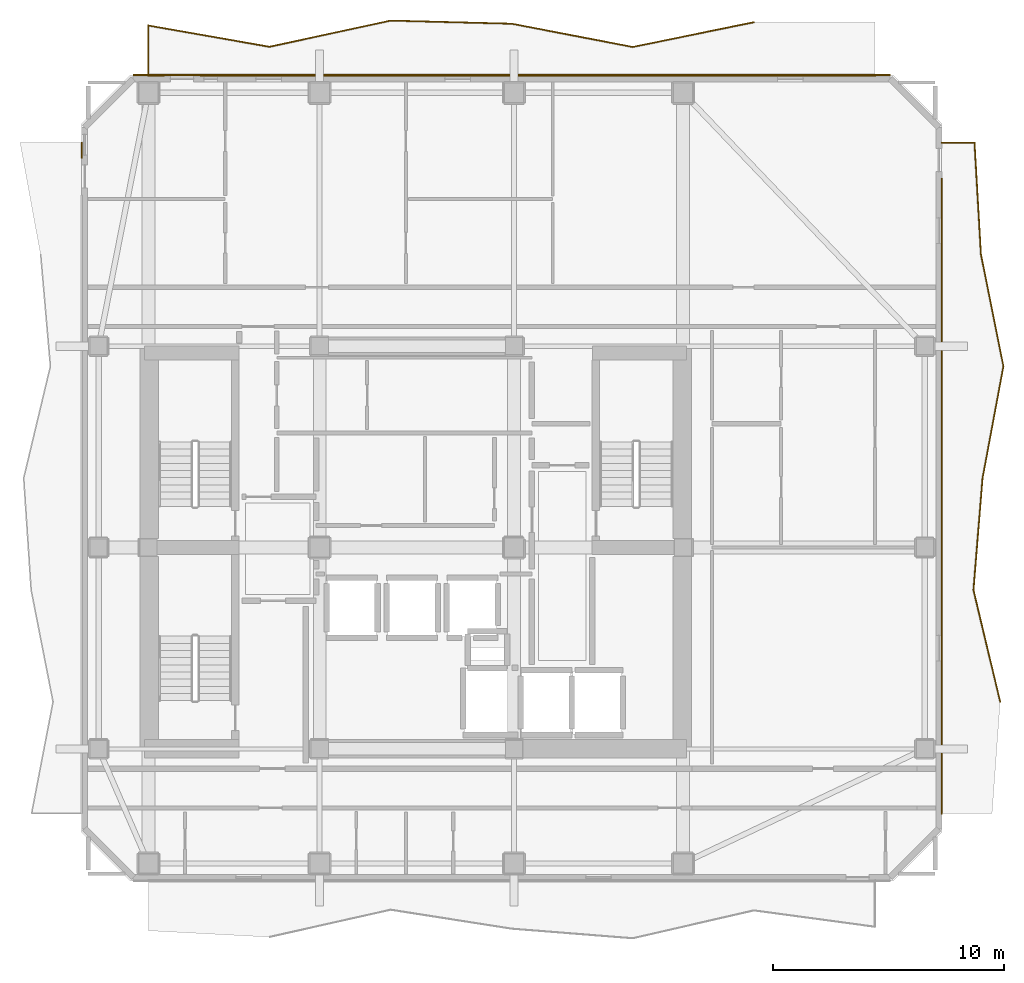
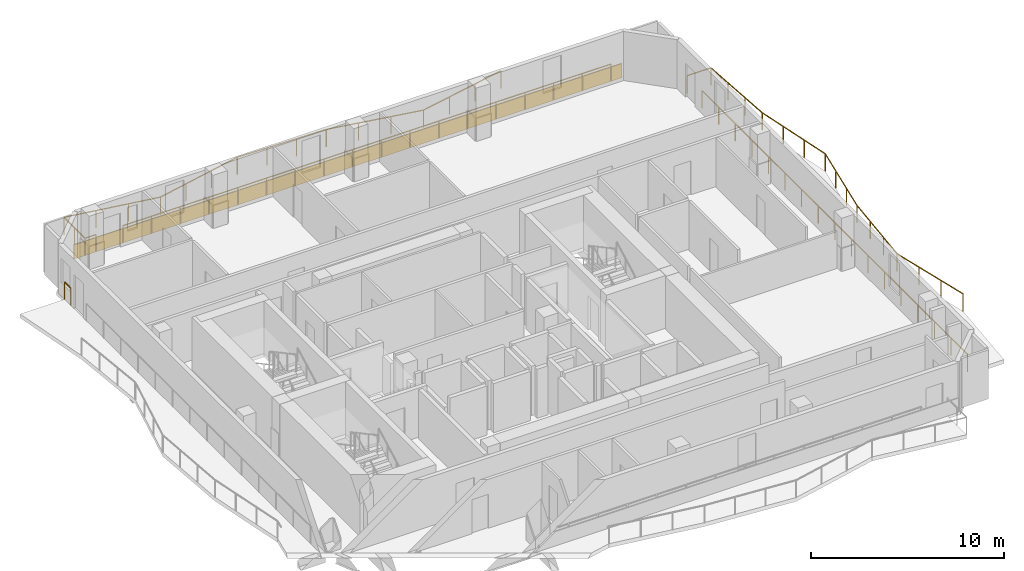
# One storey, part 9 of 9: 5 railings, 1 covering.
"""IFC4 building model written with IfcOpenShell, lengths in metres."""

import ifcopenshell
import ifcopenshell.guid

model = None  # the IFC model being written
_history = None  # IfcOwnerHistory: only IFC2X3 demands one
_inside = {}  # id of a spatial element -> (the spatial element, [elements in it])
_under = {}  # id of a project, library or spatial element -> (it, [spatial elements below it])
_declared = {}  # id of a project -> (the project, [libraries it declares])
_typed = {}  # id of a type object -> (the type object, [elements of that type])
_made_of = {}  # id of a material, layer set ... -> (it, [elements and type objects made of it])


def new_model(schema):
    """Start an empty IFC model of exactly this schema.

    Asked for "IFC4X3", IfcOpenShell would pick the latest addendum, in which some entities
    have other attributes; the version numbers below select the first issue.
    IFC2X3 requires an IfcOwnerHistory on every rooted entity: one is made here for all.
    """
    global model, _history
    if schema == "IFC4X3":
        model = ifcopenshell.file(schema_version=(4, 3, 0, 0))
    else:
        model = ifcopenshell.file(schema=schema)
    _inside.clear()
    _under.clear()
    _declared.clear()
    _typed.clear()
    _made_of.clear()
    _history = None
    if model.schema == "IFC2X3":
        org = make("IfcOrganization", Name="unknown")
        user = make(
            "IfcPersonAndOrganization",
            ThePerson=make("IfcPerson", FamilyName="unknown"),
            TheOrganization=org,
        )
        app = make(
            "IfcApplication",
            ApplicationDeveloper=org,
            Version="unknown",
            ApplicationFullName="unknown",
            ApplicationIdentifier="unknown",
        )
        _history = make(
            "IfcOwnerHistory",
            OwningUser=user,
            OwningApplication=app,
            ChangeAction="ADDED",
            CreationDate=0,
        )
    return model


def make(cls, **values):
    """One entity of the class cls with the attributes given. An attribute that is None is left unset."""
    return model.create_entity(
        cls, **{name: value for name, value in values.items() if value is not None}
    )


def rooted(cls, **values):
    """An entity with a GlobalId (a new one), such as an element, a storey or a relation."""
    return make(cls, GlobalId=ifcopenshell.guid.new(), OwnerHistory=_history, **values)


def si_unit(unit_type, name, prefix=None):
    """IfcSIUnit, for example si_unit("LENGTHUNIT", "METRE", prefix="MILLI")."""
    return make("IfcSIUnit", UnitType=unit_type, Prefix=prefix, Name=name)


def assignment(units):
    """IfcUnitAssignment: the units of a project."""
    return None if units is None else make("IfcUnitAssignment", Units=units)


def point(xyz):
    """IfcCartesianPoint."""
    return None if xyz is None else make("IfcCartesianPoint", Coordinates=xyz)


def direction(xyz):
    """IfcDirection."""
    return None if xyz is None else make("IfcDirection", DirectionRatios=xyz)


def frame(location, z_axis=None, x_axis=None):
    """IfcAxis2Placement3D, a coordinate frame: its origin and axes. An axis left out is left unset."""
    return make(
        "IfcAxis2Placement3D",
        Location=point(location),
        Axis=direction(z_axis),
        RefDirection=direction(x_axis),
    )


def frame_2d(location, x_axis=None):
    """IfcAxis2Placement2D, a coordinate frame in the plane: its origin and x axis."""
    return make(
        "IfcAxis2Placement2D", Location=point(location), RefDirection=direction(x_axis)
    )


def origin():
    """The frame at (0, 0, 0) with its axes left unset."""
    return frame((0.0, 0.0, 0.0))


def origin_2d():
    """The frame at (0, 0) in the plane with its x axis left unset."""
    return frame_2d((0.0, 0.0))


def place(relative_to, where):
    """IfcLocalPlacement: puts the frame where relative to a parent placement (None: the world)."""
    return make(
        "IfcLocalPlacement", PlacementRelTo=relative_to, RelativePlacement=where
    )


def context(
    kind, dimensions, precision=None, world=None, true_north=None, identifier=None
):
    """IfcGeometricRepresentationContext, for example the 3D "Model" context."""
    return make(
        "IfcGeometricRepresentationContext",
        ContextIdentifier=identifier,
        ContextType=kind,
        CoordinateSpaceDimension=dimensions,
        Precision=precision,
        WorldCoordinateSystem=world,
        TrueNorth=true_north,
    )


def subcontext(parent, identifier, kind, view, scale=None):
    """IfcGeometricRepresentationSubContext, for example "Body" below "Model"."""
    return make(
        "IfcGeometricRepresentationSubContext",
        ContextIdentifier=identifier,
        ContextType=kind,
        ParentContext=parent,
        TargetScale=scale,
        TargetView=view,
    )


def project(units=None, contexts=None):
    """IfcProject with its units and contexts."""
    return rooted(
        "IfcProject",
        Name="project",
        RepresentationContexts=contexts,
        UnitsInContext=assignment(units),
    )


def spatial(cls, under=None, at=None, **own):
    """A site, building, storey or space (cls), placed at a placement, below another one or the project."""
    s = rooted(cls, ObjectPlacement=at, **own)
    if under is not None:
        _under.setdefault(under.id(), (under, []))[1].append(s)
    return s


def profile(cls, at=None, kind="AREA", **sizes):
    """A parametric profile (cls). Its sizes go by their IFC names, for example OverallWidth=200.0."""
    return make(cls, ProfileType=kind, Position=at, **sizes)


def rectangle(**sizes):
    """IfcRectangleProfileDef."""
    return profile("IfcRectangleProfileDef", **sizes)


def extrude(swept, where, along, depth):
    """IfcExtrudedAreaSolid: the profile swept, set in the frame where, extruded along a direction by depth."""
    return make(
        "IfcExtrudedAreaSolid",
        SweptArea=swept,
        Position=where,
        ExtrudedDirection=direction(along),
        Depth=depth,
    )


def shape(context_of_items, identifier, shape_type, items):
    """IfcShapeRepresentation: the items that make up one representation, for example the "Body"."""
    return make(
        "IfcShapeRepresentation",
        ContextOfItems=context_of_items,
        RepresentationIdentifier=identifier,
        RepresentationType=shape_type,
        Items=items,
    )


def material(Name=None, Category=None):
    """IfcMaterial."""
    return make("IfcMaterial", Name=Name, Category=Category)


def layer(
    of_material, thickness, ventilated=None, Name=None, Category=None, Priority=None
):
    """IfcMaterialLayer: one layer of a wall or slab, of a material (None: an air gap)."""
    return make(
        "IfcMaterialLayer",
        Material=of_material,
        LayerThickness=thickness,
        IsVentilated=ventilated,
        Name=Name,
        Category=Category,
        Priority=Priority,
    )


def layer_set(layers, Name=None):
    """IfcMaterialLayerSet."""
    return make("IfcMaterialLayerSet", MaterialLayers=layers, LayerSetName=Name)


def made_of(thing, what):
    """Note that an element or type object is made of a material, layer set ...; save() writes the relation."""
    if what is not None:
        _made_of.setdefault(what.id(), (what, []))[1].append(thing)
    return thing


def type_object(cls, material=None, **own):
    """A type object (cls), such as IfcWallType, which elements share."""
    return made_of(rooted(cls, **own), material)


def element(
    cls,
    number,
    at=None,
    inside=None,
    cuts=None,
    type_object=None,
    material=None,
    context=None,
    identifier="Body",
    shape_type=None,
    held_by="IfcProductDefinitionShape",
    body=None,
    shapes=None,
    **own,
):
    """One element of the class cls, such as IfcWall. Its Tag is "e" and its number.

    at: its placement. inside: the storey or other place that contains it. cuts: it is an
    opening in that element (IfcRelVoidsElement). A single representation is given by context,
    identifier, shape_type and body (its items); several are given by shapes. held_by: the class
    of the entity that holds the representations. save() writes the other relations.
    """
    e = rooted(cls, Tag="e%d" % number, ObjectPlacement=at, **own)
    if body is not None:
        shapes = [shape(context, identifier, shape_type, body)]
    if shapes is not None:
        e.Representation = make(held_by, Representations=shapes)
    if inside is not None:
        _inside.setdefault(inside.id(), (inside, []))[1].append(e)
    if cuts is not None:
        rooted(
            "IfcRelVoidsElement", RelatingBuildingElement=cuts, RelatedOpeningElement=e
        )
    if type_object is not None:
        _typed.setdefault(type_object.id(), (type_object, []))[1].append(e)
    return made_of(e, material)


def aggregate(whole, parts):
    """IfcRelAggregates: a whole, such as a stair, and the parts it consists of."""
    return rooted("IfcRelAggregates", RelatingObject=whole, RelatedObjects=parts)


def save(model, path):
    """Write the relations noted so far, then the file.

    IfcRelAggregates (storeys below a building ...), IfcRelContainedInSpatialStructure (elements
    in a storey), IfcRelDefinesByType, IfcRelAssociatesMaterial and IfcRelDeclares: one each for
    every whole, place, type object, material and project.
    """
    for whole, parts in _under.values():
        aggregate(whole, parts)
    for where, things in _inside.values():
        rooted(
            "IfcRelContainedInSpatialStructure",
            RelatedElements=things,
            RelatingStructure=where,
        )
    for kind, things in _typed.values():
        rooted("IfcRelDefinesByType", RelatedObjects=things, RelatingType=kind)
    for what, things in _made_of.values():
        rooted("IfcRelAssociatesMaterial", RelatedObjects=things, RelatingMaterial=what)
    for by, libraries in _declared.values():
        rooted("IfcRelDeclares", RelatingContext=by, RelatedDefinitions=libraries)
    model.write(path)


model = new_model("IFC4")

# Units and contexts
model_context = context("Model", 3, precision=1e-05, world=origin(), true_north=direction((0.0, 1.0)))
body_context = subcontext(model_context, "Body", "Model", "MODEL_VIEW")
ifc_project = project(units=[si_unit("LENGTHUNIT", "METRE"), si_unit("AREAUNIT", "SQUARE_METRE"), si_unit("VOLUMEUNIT", "CUBIC_METRE"), si_unit("PLANEANGLEUNIT", "RADIAN"), si_unit("MASSUNIT", "GRAM", prefix="KILO")], contexts=[model_context])

# Site, building, storey
site_placement = place(None, origin())
site = spatial("IfcSite", under=ifc_project, at=site_placement, CompositionType="ELEMENT")
building_placement = place(site_placement, origin())
building = spatial("IfcBuilding", under=site, at=building_placement, Name="Solanera Arch Residences", CompositionType="ELEMENT")
storey_placement = place(building_placement, frame((0.0, 0.0, 237.919921875)))
storey = spatial("IfcBuildingStorey", under=building, at=storey_placement, Name="L69", CompositionType="ELEMENT", Elevation=237.919921875)

# Railings
ifc_material_1 = material(Name="Steel S355 (ASTM A992 / A572 Grade 50)", Category="steel")
railing_type = type_object("IfcRailingType", Name="Balustrade Railing BL-1100", PredefinedType="BALUSTRADE", material=ifc_material_1)
railing_1_placement = place(storey_placement, frame((39.56689453125, 53.403076171875, 0.0)))
element("IfcRailing", 1, at=railing_1_placement, inside=storey, type_object=railing_type, Name="L69 N Balcony Balustrade 1", PredefinedType="BALUSTRADE", context=body_context, shape_type="SweptSolid", body=[
    extrude(rectangle(XDim=0.048095703125, YDim=0.048095703125, at=origin_2d()), frame((0.0, 0.0, 1.09619140625), z_axis=(-0.979661474298, -0.200657408977, 0.0), x_axis=(0.200657408977, -0.979661474298, 0.0)), (0.0, 0.0, 1.0), 5.342529296875),
    extrude(rectangle(XDim=0.048095703125, YDim=0.048095703125, at=origin_2d()), frame((-5.23388671875, -1.072021484375, 1.09619140625), z_axis=(-0.982022782864, 0.188762427237, 0.0), x_axis=(-0.188762427237, -0.982022782864, 0.0)), (0.0, 0.0, 1.0), 5.32861328125),
    extrude(rectangle(XDim=0.048095703125, YDim=0.048095703125, at=origin_2d()), frame((-10.466796875, -0.066162109375, 1.09619140625), z_axis=(-0.999667373717, 0.025790345587, 0.0), x_axis=(-0.025790345587, -0.999667373717, 0.0)), (0.0, 0.0, 1.0), 5.23486328125),
    extrude(rectangle(XDim=0.048095703125, YDim=0.048095703125, at=origin_2d()), frame((-15.699951171875, 0.06884765625, 1.09619140625), z_axis=(-0.977407038109, -0.21136575374, 0.0), x_axis=(0.21136575374, -0.977407038109, 0.0)), (0.0, 0.0, 1.0), 5.35498046875),
    extrude(rectangle(XDim=0.048095703125, YDim=0.048095703125, at=origin_2d()), frame((-20.933837890625, -1.06298828125, 1.09619140625), z_axis=(-0.984929846089, 0.172954324268, 0.0), x_axis=(-0.172954324268, -0.984929846089, 0.0)), (0.0, 0.0, 1.0), 5.313232421875),
    extrude(rectangle(XDim=0.048095703125, YDim=0.048095703125, at=origin_2d()), frame((-26.1669921875, -0.14404296875, 1.09619140625), z_axis=(0.0, -1.0, 0.0), x_axis=(1.0, 0.0, 0.0)), (0.0, 0.0, 1.0), 2.178955078125),
    extrude(rectangle(XDim=0.048095703125, YDim=0.048095703125, at=origin_2d()), frame((-26.1669921875, -2.322998046875, 1.09619140625), z_axis=(1.0, 0.0, 0.0), x_axis=(0.0, 1.0, 0.0)), (0.0, 0.0, 1.0), 0.655029296875),
    extrude(rectangle(XDim=0.0419921875, YDim=0.0419921875, at=origin_2d()), origin(), (0.0, 0.0, 1.0), 1.072021484375),
    extrude(rectangle(XDim=0.0419921875, YDim=0.0419921875, at=origin_2d()), frame((-1.74462890625, -0.357421875, 0.0)), (0.0, 0.0, 1.0), 1.072021484375),
    extrude(rectangle(XDim=0.0419921875, YDim=0.0419921875, at=origin_2d()), frame((-3.4892578125, -0.714599609375, 0.0)), (0.0, 0.0, 1.0), 1.072021484375),
    extrude(rectangle(XDim=0.0419921875, YDim=0.0419921875, at=origin_2d()), frame((-5.23388671875, -1.072021484375, 0.0)), (0.0, 0.0, 1.0), 1.072021484375),
    extrude(rectangle(XDim=0.0419921875, YDim=0.0419921875, at=origin_2d()), frame((-6.978271484375, -0.73681640625, 0.0)), (0.0, 0.0, 1.0), 1.072021484375),
    extrude(rectangle(XDim=0.0419921875, YDim=0.0419921875, at=origin_2d()), frame((-8.722412109375, -0.4013671875, 0.0)), (0.0, 0.0, 1.0), 1.072021484375),
    extrude(rectangle(XDim=0.0419921875, YDim=0.0419921875, at=origin_2d()), frame((-10.466796875, -0.066162109375, 0.0)), (0.0, 0.0, 1.0), 1.072021484375),
    extrude(rectangle(XDim=0.0419921875, YDim=0.0419921875, at=origin_2d()), frame((-12.211181640625, -0.021240234375, 0.0)), (0.0, 0.0, 1.0), 1.072021484375),
    extrude(rectangle(XDim=0.0419921875, YDim=0.0419921875, at=origin_2d()), frame((-13.95556640625, 0.02392578125, 0.0)), (0.0, 0.0, 1.0), 1.072021484375),
    extrude(rectangle(XDim=0.0419921875, YDim=0.0419921875, at=origin_2d()), frame((-15.699951171875, 0.06884765625, 0.0)), (0.0, 0.0, 1.0), 1.072021484375),
    extrude(rectangle(XDim=0.0419921875, YDim=0.0419921875, at=origin_2d()), frame((-17.444580078125, -0.308349609375, 0.0)), (0.0, 0.0, 1.0), 1.072021484375),
    extrude(rectangle(XDim=0.0419921875, YDim=0.0419921875, at=origin_2d()), frame((-19.189208984375, -0.685791015625, 0.0)), (0.0, 0.0, 1.0), 1.072021484375),
    extrude(rectangle(XDim=0.0419921875, YDim=0.0419921875, at=origin_2d()), frame((-20.933837890625, -1.06298828125, 0.0)), (0.0, 0.0, 1.0), 1.072021484375),
    extrude(rectangle(XDim=0.0419921875, YDim=0.0419921875, at=origin_2d()), frame((-22.67822265625, -0.756591796875, 0.0)), (0.0, 0.0, 1.0), 1.072021484375),
    extrude(rectangle(XDim=0.0419921875, YDim=0.0419921875, at=origin_2d()), frame((-24.422607421875, -0.450439453125, 0.0)), (0.0, 0.0, 1.0), 1.072021484375),
    extrude(rectangle(XDim=0.0419921875, YDim=0.0419921875, at=origin_2d()), frame((-26.1669921875, -0.14404296875, 0.0)), (0.0, 0.0, 1.0), 1.072021484375),
    extrude(rectangle(XDim=0.0419921875, YDim=0.0419921875, at=origin_2d()), frame((-26.1669921875, -1.2333984375, 0.0)), (0.0, 0.0, 1.0), 1.072021484375),
    extrude(rectangle(XDim=0.0419921875, YDim=0.0419921875, at=origin_2d()), frame((-26.1669921875, -2.322998046875, 0.0)), (0.0, 0.0, 1.0), 1.072021484375),
    extrude(rectangle(XDim=0.0419921875, YDim=0.0419921875, at=origin_2d()), frame((-25.511962890625, -2.322998046875, 0.0)), (0.0, 0.0, 1.0), 1.072021484375),
])
railing_2_placement = place(storey_placement, frame((15.655029296875, 51.080078125, 0.0)))
element("IfcRailing", 2, at=railing_2_placement, inside=storey, type_object=railing_type, Name="L69 N Balcony Balustrade 2", PredefinedType="BALUSTRADE", context=body_context, shape_type="SweptSolid", body=[
    extrude(rectangle(XDim=0.048095703125, YDim=0.048095703125, at=origin_2d()), frame((0.0, 0.0, 1.09619140625), z_axis=(1.0, 0.0, 0.0), x_axis=(0.0, 1.0, 0.0)), (0.0, 0.0, 1.0), 29.14501953125),
    extrude(rectangle(XDim=0.0419921875, YDim=0.0419921875, at=origin_2d()), origin(), (0.0, 0.0, 1.0), 1.072021484375),
    extrude(rectangle(XDim=0.0419921875, YDim=0.0419921875, at=origin_2d()), frame((1.71435546875, 0.0, 0.0)), (0.0, 0.0, 1.0), 1.072021484375),
    extrude(rectangle(XDim=0.0419921875, YDim=0.0419921875, at=origin_2d()), frame((3.4287109375, 0.0, 0.0)), (0.0, 0.0, 1.0), 1.072021484375),
    extrude(rectangle(XDim=0.0419921875, YDim=0.0419921875, at=origin_2d()), frame((5.143310546875, 0.0, 0.0)), (0.0, 0.0, 1.0), 1.072021484375),
    extrude(rectangle(XDim=0.0419921875, YDim=0.0419921875, at=origin_2d()), frame((6.857666015625, 0.0, 0.0)), (0.0, 0.0, 1.0), 1.072021484375),
    extrude(rectangle(XDim=0.0419921875, YDim=0.0419921875, at=origin_2d()), frame((8.572021484375, 0.0, 0.0)), (0.0, 0.0, 1.0), 1.072021484375),
    extrude(rectangle(XDim=0.0419921875, YDim=0.0419921875, at=origin_2d()), frame((10.286376953125, 0.0, 0.0)), (0.0, 0.0, 1.0), 1.072021484375),
    extrude(rectangle(XDim=0.0419921875, YDim=0.0419921875, at=origin_2d()), frame((12.0009765625, 0.0, 0.0)), (0.0, 0.0, 1.0), 1.072021484375),
    extrude(rectangle(XDim=0.0419921875, YDim=0.0419921875, at=origin_2d()), frame((13.71533203125, 0.0, 0.0)), (0.0, 0.0, 1.0), 1.072021484375),
    extrude(rectangle(XDim=0.0419921875, YDim=0.0419921875, at=origin_2d()), frame((15.4296875, 0.0, 0.0)), (0.0, 0.0, 1.0), 1.072021484375),
    extrude(rectangle(XDim=0.0419921875, YDim=0.0419921875, at=origin_2d()), frame((17.14404296875, 0.0, 0.0)), (0.0, 0.0, 1.0), 1.072021484375),
    extrude(rectangle(XDim=0.0419921875, YDim=0.0419921875, at=origin_2d()), frame((18.858642578125, 0.0, 0.0)), (0.0, 0.0, 1.0), 1.072021484375),
    extrude(rectangle(XDim=0.0419921875, YDim=0.0419921875, at=origin_2d()), frame((20.572998046875, 0.0, 0.0)), (0.0, 0.0, 1.0), 1.072021484375),
    extrude(rectangle(XDim=0.0419921875, YDim=0.0419921875, at=origin_2d()), frame((22.287353515625, 0.0, 0.0)), (0.0, 0.0, 1.0), 1.072021484375),
    extrude(rectangle(XDim=0.0419921875, YDim=0.0419921875, at=origin_2d()), frame((24.001708984375, 0.0, 0.0)), (0.0, 0.0, 1.0), 1.072021484375),
    extrude(rectangle(XDim=0.0419921875, YDim=0.0419921875, at=origin_2d()), frame((25.71630859375, 0.0, 0.0)), (0.0, 0.0, 1.0), 1.072021484375),
    extrude(rectangle(XDim=0.0419921875, YDim=0.0419921875, at=origin_2d()), frame((27.4306640625, 0.0, 0.0)), (0.0, 0.0, 1.0), 1.072021484375),
    extrude(rectangle(XDim=0.0419921875, YDim=0.0419921875, at=origin_2d()), frame((29.14501953125, 0.0, 0.0)), (0.0, 0.0, 1.0), 1.072021484375),
])
railing_3_placement = place(storey_placement, frame((50.208984375, 24.032958984375, 0.0)))
element("IfcRailing", 3, at=railing_3_placement, inside=storey, type_object=railing_type, Name="L69 E Balcony Balustrade 1", PredefinedType="BALUSTRADE", context=body_context, shape_type="SweptSolid", body=[
    extrude(rectangle(XDim=0.048095703125, YDim=0.048095703125, at=origin_2d()), frame((0.0, 0.0, 1.09619140625), z_axis=(-0.232211559936, 0.972665302883, 0.0), x_axis=(-0.972665302883, -0.232211559936, 0.0)), (0.0, 0.0, 1.0), 4.9697265625),
    extrude(rectangle(XDim=0.048095703125, YDim=0.048095703125, at=origin_2d()), frame((-1.154052734375, 4.833984375, 1.09619140625), z_axis=(0.080861833913, 0.996725320144, 0.0), x_axis=(-0.996725320144, 0.080861833913, 0.0)), (0.0, 0.0, 1.0), 4.848876953125),
    extrude(rectangle(XDim=0.048095703125, YDim=0.048095703125, at=origin_2d()), frame((-0.761962890625, 9.6669921875, 1.09619140625), z_axis=(0.183484956736, 0.983022517876, 0.0), x_axis=(-0.983022517876, 0.183484956736, 0.0)), (0.0, 0.0, 1.0), 4.91650390625),
    extrude(rectangle(XDim=0.048095703125, YDim=0.048095703125, at=origin_2d()), frame((0.14013671875, 14.5, 1.09619140625), z_axis=(-0.197163427785, 0.980370635395, 0.0), x_axis=(-0.980370635395, -0.197163427785, 0.0)), (0.0, 0.0, 1.0), 4.9306640625),
    extrude(rectangle(XDim=0.048095703125, YDim=0.048095703125, at=origin_2d()), frame((-0.83203125, 19.333984375, 1.09619140625), z_axis=(-0.057190541588, 0.998363281553, 0.0), x_axis=(-0.998363281553, -0.057190541588, 0.0)), (0.0, 0.0, 1.0), 4.8408203125),
    extrude(rectangle(XDim=0.048095703125, YDim=0.048095703125, at=origin_2d()), frame((-1.10888671875, 24.1669921875, 1.09619140625), z_axis=(-1.0, 0.0, 0.0), x_axis=(0.0, -1.0, 0.0)), (0.0, 0.0, 1.0), 1.420166015625),
    extrude(rectangle(XDim=0.0419921875, YDim=0.0419921875, at=origin_2d()), origin(), (0.0, 0.0, 1.0), 1.072021484375),
    extrude(rectangle(XDim=0.0419921875, YDim=0.0419921875, at=origin_2d()), frame((-0.384765625, 1.611328125, 0.0)), (0.0, 0.0, 1.0), 1.072021484375),
    extrude(rectangle(XDim=0.0419921875, YDim=0.0419921875, at=origin_2d()), frame((-0.769287109375, 3.22265625, 0.0)), (0.0, 0.0, 1.0), 1.072021484375),
    extrude(rectangle(XDim=0.0419921875, YDim=0.0419921875, at=origin_2d()), frame((-1.154052734375, 4.833984375, 0.0)), (0.0, 0.0, 1.0), 1.072021484375),
    extrude(rectangle(XDim=0.0419921875, YDim=0.0419921875, at=origin_2d()), frame((-1.0234375, 6.445068359375, 0.0)), (0.0, 0.0, 1.0), 1.072021484375),
    extrude(rectangle(XDim=0.0419921875, YDim=0.0419921875, at=origin_2d()), frame((-0.892578125, 8.055908203125, 0.0)), (0.0, 0.0, 1.0), 1.072021484375),
    extrude(rectangle(XDim=0.0419921875, YDim=0.0419921875, at=origin_2d()), frame((-0.761962890625, 9.6669921875, 0.0)), (0.0, 0.0, 1.0), 1.072021484375),
    extrude(rectangle(XDim=0.0419921875, YDim=0.0419921875, at=origin_2d()), frame((-0.461181640625, 11.278076171875, 0.0)), (0.0, 0.0, 1.0), 1.072021484375),
    extrude(rectangle(XDim=0.0419921875, YDim=0.0419921875, at=origin_2d()), frame((-0.16064453125, 12.888916015625, 0.0)), (0.0, 0.0, 1.0), 1.072021484375),
    extrude(rectangle(XDim=0.0419921875, YDim=0.0419921875, at=origin_2d()), frame((0.14013671875, 14.5, 0.0)), (0.0, 0.0, 1.0), 1.072021484375),
    extrude(rectangle(XDim=0.0419921875, YDim=0.0419921875, at=origin_2d()), frame((-0.183837890625, 16.111328125, 0.0)), (0.0, 0.0, 1.0), 1.072021484375),
    extrude(rectangle(XDim=0.0419921875, YDim=0.0419921875, at=origin_2d()), frame((-0.508056640625, 17.72265625, 0.0)), (0.0, 0.0, 1.0), 1.072021484375),
    extrude(rectangle(XDim=0.0419921875, YDim=0.0419921875, at=origin_2d()), frame((-0.83203125, 19.333984375, 0.0)), (0.0, 0.0, 1.0), 1.072021484375),
    extrude(rectangle(XDim=0.0419921875, YDim=0.0419921875, at=origin_2d()), frame((-0.92431640625, 20.945068359375, 0.0)), (0.0, 0.0, 1.0), 1.072021484375),
    extrude(rectangle(XDim=0.0419921875, YDim=0.0419921875, at=origin_2d()), frame((-1.0166015625, 22.555908203125, 0.0)), (0.0, 0.0, 1.0), 1.072021484375),
    extrude(rectangle(XDim=0.0419921875, YDim=0.0419921875, at=origin_2d()), frame((-1.10888671875, 24.1669921875, 0.0)), (0.0, 0.0, 1.0), 1.072021484375),
    extrude(rectangle(XDim=0.0419921875, YDim=0.0419921875, at=origin_2d()), frame((-2.529052734375, 24.1669921875, 0.0)), (0.0, 0.0, 1.0), 1.072021484375),
])
railing_4_placement = place(storey_placement, frame((47.679931640625, 46.64501953125, 0.0)))
element("IfcRailing", 4, at=railing_4_placement, inside=storey, type_object=railing_type, Name="L69 E Balcony Balustrade 2", PredefinedType="BALUSTRADE", context=body_context, shape_type="SweptSolid", body=[
    extrude(rectangle(XDim=0.048095703125, YDim=0.048095703125, at=origin_2d()), frame((0.0, 0.0, 1.09619140625), z_axis=(0.0, -1.0, 0.0), x_axis=(1.0, 0.0, 0.0)), (0.0, 0.0, 1.0), 27.445068359375),
    extrude(rectangle(XDim=0.0419921875, YDim=0.0419921875, at=origin_2d()), origin(), (0.0, 0.0, 1.0), 1.072021484375),
    extrude(rectangle(XDim=0.0419921875, YDim=0.0419921875, at=origin_2d()), frame((0.0, -1.71533203125, 0.0)), (0.0, 0.0, 1.0), 1.072021484375),
    extrude(rectangle(XDim=0.0419921875, YDim=0.0419921875, at=origin_2d()), frame((0.0, -3.4306640625, 0.0)), (0.0, 0.0, 1.0), 1.072021484375),
    extrude(rectangle(XDim=0.0419921875, YDim=0.0419921875, at=origin_2d()), frame((0.0, -5.14599609375, 0.0)), (0.0, 0.0, 1.0), 1.072021484375),
    extrude(rectangle(XDim=0.0419921875, YDim=0.0419921875, at=origin_2d()), frame((0.0, -6.861328125, 0.0)), (0.0, 0.0, 1.0), 1.072021484375),
    extrude(rectangle(XDim=0.0419921875, YDim=0.0419921875, at=origin_2d()), frame((0.0, -8.57666015625, 0.0)), (0.0, 0.0, 1.0), 1.072021484375),
    extrude(rectangle(XDim=0.0419921875, YDim=0.0419921875, at=origin_2d()), frame((0.0, -10.2919921875, 0.0)), (0.0, 0.0, 1.0), 1.072021484375),
    extrude(rectangle(XDim=0.0419921875, YDim=0.0419921875, at=origin_2d()), frame((0.0, -12.00732421875, 0.0)), (0.0, 0.0, 1.0), 1.072021484375),
    extrude(rectangle(XDim=0.0419921875, YDim=0.0419921875, at=origin_2d()), frame((0.0, -13.72265625, 0.0)), (0.0, 0.0, 1.0), 1.072021484375),
    extrude(rectangle(XDim=0.0419921875, YDim=0.0419921875, at=origin_2d()), frame((0.0, -15.437744140625, 0.0)), (0.0, 0.0, 1.0), 1.072021484375),
    extrude(rectangle(XDim=0.0419921875, YDim=0.0419921875, at=origin_2d()), frame((0.0, -17.153076171875, 0.0)), (0.0, 0.0, 1.0), 1.072021484375),
    extrude(rectangle(XDim=0.0419921875, YDim=0.0419921875, at=origin_2d()), frame((0.0, -18.868408203125, 0.0)), (0.0, 0.0, 1.0), 1.072021484375),
    extrude(rectangle(XDim=0.0419921875, YDim=0.0419921875, at=origin_2d()), frame((0.0, -20.583740234375, 0.0)), (0.0, 0.0, 1.0), 1.072021484375),
    extrude(rectangle(XDim=0.0419921875, YDim=0.0419921875, at=origin_2d()), frame((0.0, -22.299072265625, 0.0)), (0.0, 0.0, 1.0), 1.072021484375),
    extrude(rectangle(XDim=0.0419921875, YDim=0.0419921875, at=origin_2d()), frame((0.0, -24.014404296875, 0.0)), (0.0, 0.0, 1.0), 1.072021484375),
    extrude(rectangle(XDim=0.0419921875, YDim=0.0419921875, at=origin_2d()), frame((0.0, -25.729736328125, 0.0)), (0.0, 0.0, 1.0), 1.072021484375),
    extrude(rectangle(XDim=0.0419921875, YDim=0.0419921875, at=origin_2d()), frame((0.0, -27.445068359375, 0.0)), (0.0, 0.0, 1.0), 1.072021484375),
])
railing_5_placement = place(storey_placement, frame((10.52001953125, 47.5400390625, 0.0)))
element("IfcRailing", 5, at=railing_5_placement, inside=storey, type_object=railing_type, Name="L69 W Balcony Balustrade 2", PredefinedType="BALUSTRADE", context=body_context, shape_type="SweptSolid", body=[
    extrude(rectangle(XDim=0.048095703125, YDim=0.048095703125, at=origin_2d()), frame((0.0, 0.0, 1.09619140625), z_axis=(0.0, 1.0, 0.0), x_axis=(-1.0, 0.0, 0.0)), (0.0, 0.0, 1.0), 0.659912109375),
    extrude(rectangle(XDim=0.0419921875, YDim=0.0419921875, at=origin_2d()), origin(), (0.0, 0.0, 1.0), 1.072021484375),
    extrude(rectangle(XDim=0.0419921875, YDim=0.0419921875, at=origin_2d()), frame((0.0, 0.659912109375, 0.0)), (0.0, 0.0, 1.0), 1.072021484375),
])

# Covering
ifc_material_2 = material(Name="Philippine Adobe Travertine Cladding", Category="masonry")
ifc_layer = layer(ifc_material_2, 0.06005859375)
ifc_layer_set = layer_set([ifc_layer], Name="Philippine Adobe Travertine Cladding")
covering_type = type_object("IfcCoveringType", Name="Precast Pier Stone Cladding CLD-60", PredefinedType="CLADDING", material=ifc_layer_set)
covering_placement = place(storey_placement, frame((12.7451171875, 51.114990234375, 0.0), z_axis=(0.0, 0.0, 1.0), x_axis=(1.0, 0.0, 0.0)))
element("IfcCovering", 6, at=covering_placement, inside=storey, type_object=covering_type, Name="L69 N Precast Spandrel Stone Band", PredefinedType="CLADDING", context=body_context, shape_type="SweptSolid", body=[
    extrude(rectangle(XDim=32.7099609375, YDim=0.06005859375, at=frame_2d((16.35498046875, 0.0))), origin(), (0.0, 0.0, 1.0), 0.900146484375),
])

save(model, "model.ifc")
